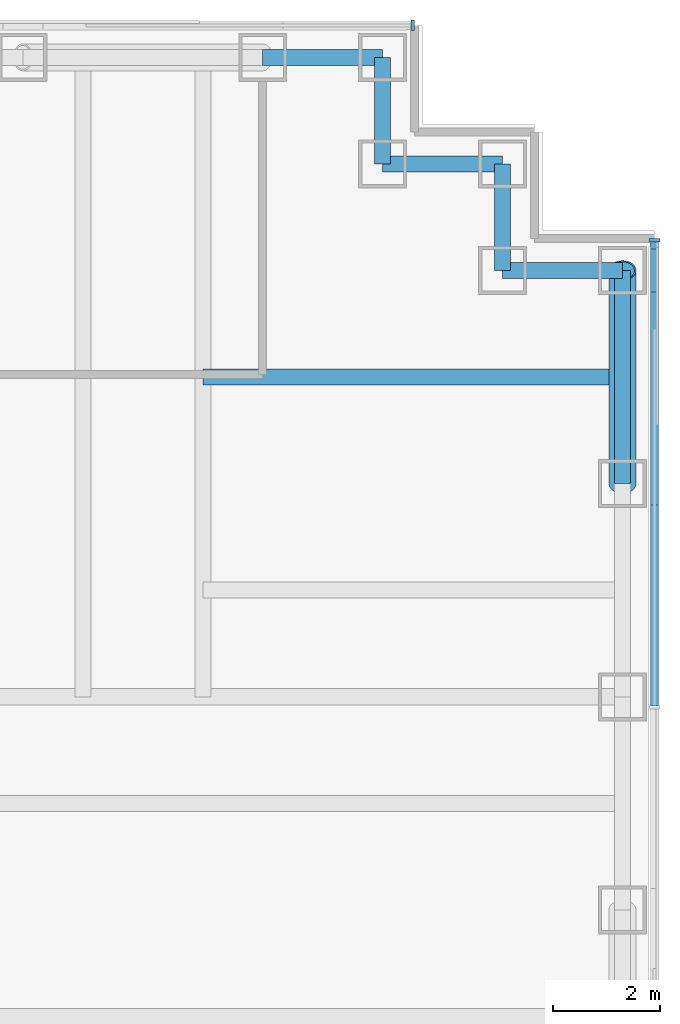
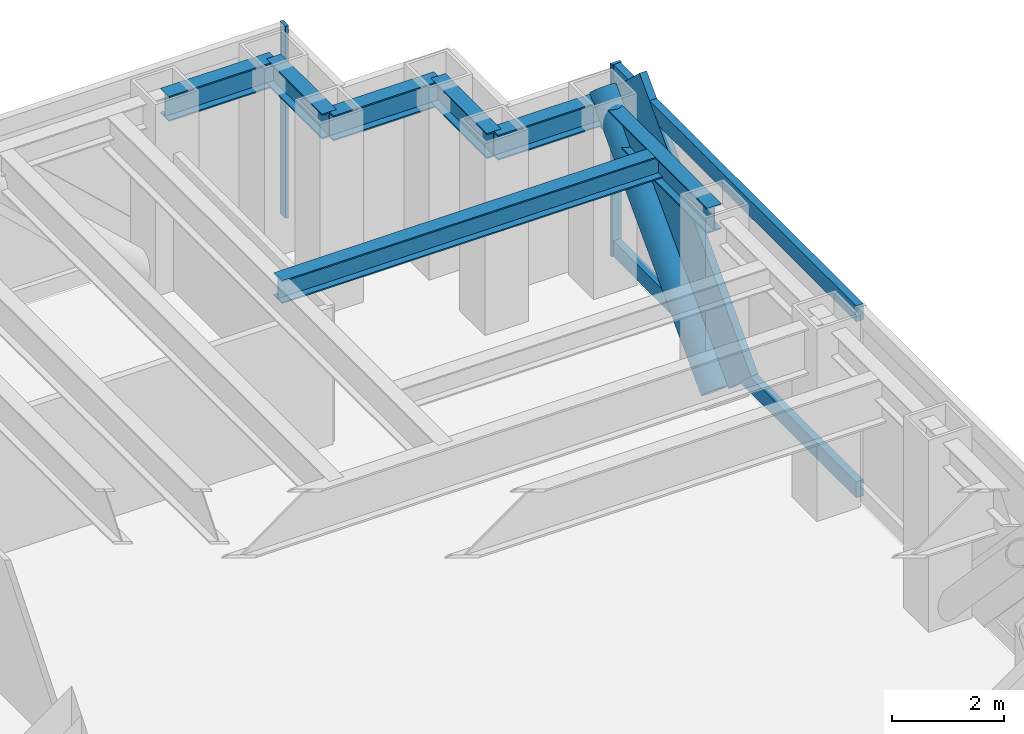
# One storey, part 9 of 15: 7 beams, 6 members, 2 elements without a shape of their own.
"""IFC4 building model written with IfcOpenShell, lengths in metres."""

from ifc_helpers import new_model, si_unit, direction, frame, origin, origin_2d, place, context, subcontext, project, spatial, rectangle, hollow_circle, i_section, extrude, material, material_profile, profile_set, type_object, element, aggregate, save


model = new_model("IFC4")

# Units and contexts
model_context = context("Model", 3, precision=1e-05, world=origin(), true_north=direction((0.0, 1.0)))
body_context = subcontext(model_context, "Body", "Model", "MODEL_VIEW")
ifc_project = project(units=[si_unit("LENGTHUNIT", "METRE"), si_unit("AREAUNIT", "SQUARE_METRE"), si_unit("VOLUMEUNIT", "CUBIC_METRE"), si_unit("PLANEANGLEUNIT", "RADIAN"), si_unit("MASSUNIT", "GRAM", prefix="KILO")], contexts=[model_context])

# Site, building, storey
site_placement = place(None, origin())
site = spatial("IfcSite", under=ifc_project, at=site_placement, CompositionType="ELEMENT")
building_placement = place(site_placement, origin())
building = spatial("IfcBuilding", under=site, at=building_placement, Name="Rheinbord Bourse Tower", CompositionType="ELEMENT")
storey_placement = place(building_placement, frame((0.0, 0.0, 308.89990234375)))
storey = spatial("IfcBuildingStorey", under=building, at=storey_placement, Name="L70", CompositionType="ELEMENT", Elevation=308.89990234375)

# Curtain wall, members
ifc_material_1 = material(Name="Dark glass and black aluminium", Category="aluminium")
curtain_wall_type = type_object("IfcCurtainWallType", Name="CW3 DARK GLASS CURTAIN WALL", PredefinedType="USERDEFINED", material=ifc_material_1)
curtain_wall_1_placement = place(storey_placement, origin())
curtain_wall_1 = element("IfcCurtainWall", 1, at=curtain_wall_1_placement, inside=storey, type_object=curtain_wall_type, Name="Curtain wall CW3 E L70", ObjectType="UNITISED CURTAIN WALL", PredefinedType="USERDEFINED")
ifc_material_2 = material(Name="Black anodised aluminium", Category="aluminium")
ifc_material_profile_1 = material_profile(ifc_material_2, rectangle(XDim=0.14990234375, YDim=1.10791015625, at=origin_2d()), Name="CW3 DIAGONAL MULLION 1108x150")
ifc_profile_set_1 = profile_set([ifc_material_profile_1], Name="Black anodised aluminium")
member_type_1 = type_object("IfcMemberType", Name="CW3 BLACK DIAGONAL MULLION", PredefinedType="USERDEFINED", material=ifc_profile_set_1)
member_1_placement = place(storey_placement, frame((70.35009765625, 36.0, 0.0), z_axis=(0.0, 0.689638355374, 0.72415394689), x_axis=(-1.0, 0.0, 0.0)))
member_1 = element("IfcMember", 2, at=member_1_placement, type_object=member_type_1, Name="CW3 diagonal mullion b", ObjectType="DIAGONAL MULLION", PredefinedType="USERDEFINED", context=body_context, shape_type="SweptSolid", body=[
    extrude(rectangle(XDim=0.14990234375, YDim=1.10791015625, at=origin_2d()), origin(), (0.0, 0.0, 1.0), 5.800048828125),
])
ifc_material_3 = material(Name="Black anodised aluminium", Category="aluminium")
ifc_material_profile_2 = material_profile(ifc_material_3, rectangle(XDim=0.199951171875, YDim=0.06494140625, at=origin_2d()), Name="CW3 MULLION 65x200")
ifc_profile_set_2 = profile_set([ifc_material_profile_2], Name="Black anodised aluminium")
member_type_2 = type_object("IfcMemberType", Name="CW3 BLACK MULLION", PredefinedType="MULLION", material=ifc_profile_set_2)
member_2_placement = place(storey_placement, frame((70.35009765625, 40.5673828125, 0.0), z_axis=(0.0, 0.0, 1.0), x_axis=(-1.0, 0.0, 0.0)))
member_2 = element("IfcMember", 3, at=member_2_placement, type_object=member_type_2, Name="CW3 mullion 5", PredefinedType="MULLION", context=body_context, shape_type="SweptSolid", body=[
    extrude(rectangle(XDim=0.199951171875, YDim=0.06494140625, at=origin_2d()), origin(), (0.0, 0.0, 1.0), 4.2001953125),
])

# Curtain wall, member
curtain_wall_2_placement = place(storey_placement, origin())
curtain_wall_2 = element("IfcCurtainWall", 4, at=curtain_wall_2_placement, inside=storey, type_object=curtain_wall_type, Name="Curtain wall CW3 N L70", ObjectType="UNITISED CURTAIN WALL", PredefinedType="USERDEFINED")
member_3_placement = place(storey_placement, frame((65.8173828125, 44.60009765625, 0.0), z_axis=(0.0, 0.0, 1.0), x_axis=(0.0, -1.0, 0.0)))
member_3 = element("IfcMember", 5, at=member_3_placement, type_object=member_type_2, Name="CW3 mullion 1", PredefinedType="MULLION", context=body_context, shape_type="SweptSolid", body=[
    extrude(rectangle(XDim=0.199951171875, YDim=0.06494140625, at=origin_2d()), origin(), (0.0, 0.0, 1.0), 4.2001953125),
])
aggregate(curtain_wall_2, [member_3])

# Member
ifc_material_4 = material(Name="Black anodised aluminium", Category="aluminium")
ifc_material_profile_3 = material_profile(ifc_material_4, rectangle(XDim=0.14990234375, YDim=0.35009765625, at=origin_2d()), Name="CW3 TRANSOM 350x150")
ifc_profile_set_3 = profile_set([ifc_material_profile_3], Name="Black anodised aluminium")
member_type_3 = type_object("IfcMemberType", Name="CW3 BLACK TRANSOM", PredefinedType="USERDEFINED", material=ifc_profile_set_3)
member_4_placement = place(storey_placement, frame((70.35009765625, 31.83251953125, 0.175048828125), z_axis=(0.0, 1.0, 0.0), x_axis=(-1.0, 0.0, 0.0)))
member_4 = element("IfcMember", 6, at=member_4_placement, type_object=member_type_3, Name="CW3 transom 4.1", ObjectType="TRANSOM", PredefinedType="USERDEFINED", context=body_context, shape_type="SweptSolid", body=[
    extrude(rectangle(XDim=0.14990234375, YDim=0.35009765625, at=origin_2d()), origin(), (0.0, 0.0, 1.0), 8.702392578125),
])

member_5_placement = place(storey_placement, frame((70.35009765625, 31.83251953125, 4.025146484375), z_axis=(0.0, 1.0, 0.0), x_axis=(-1.0, 0.0, 0.0)))
member_5 = element("IfcMember", 7, at=member_5_placement, type_object=member_type_3, Name="CW3 transom 4.2", ObjectType="TRANSOM", PredefinedType="USERDEFINED", context=body_context, shape_type="SweptSolid", body=[
    extrude(rectangle(XDim=0.14990234375, YDim=0.35009765625, at=origin_2d()), origin(), (0.0, 0.0, 1.0), 8.702392578125),
])

aggregate(curtain_wall_1, [member_2, member_4, member_5, member_1])

ifc_material_5 = material(Name="Steel S460", Category="steel")
ifc_material_profile_4 = material_profile(ifc_material_5, hollow_circle(Radius=0.25390625, WallThickness=0.030029296875, at=origin_2d()), Name="CHS 508x30")
ifc_profile_set_4 = profile_set([ifc_material_profile_4], Name="Steel S460")
member_type_4 = type_object("IfcMemberType", Name="MEGABRACE CHS 508x30", PredefinedType="BRACE", material=ifc_profile_set_4)
member_6_placement = place(storey_placement, frame((69.75, 36.0, 0.0), z_axis=(0.0, 0.689638355374, 0.72415394689), x_axis=(-1.0, 0.0, 0.0)))
element("IfcMember", 8, at=member_6_placement, inside=storey, type_object=member_type_4, Name="Megabrace E face line b L70", PredefinedType="BRACE", context=body_context, shape_type="SweptSolid", body=[
    extrude(hollow_circle(Radius=0.25390625, WallThickness=0.030029296875, at=origin_2d()), origin(), (0.0, 0.0, 1.0), 5.800048828125),
])

# Beams
ifc_material_6 = material(Name="Steel S460", Category="steel")
ifc_material_profile_5 = material_profile(ifc_material_6, i_section(OverallWidth=0.300048828125, OverallDepth=0.550048828125, WebThickness=0.014892578125, FlangeThickness=0.029052734375, at=origin_2d()), Name="HEB 550")
ifc_profile_set_5 = profile_set([ifc_material_profile_5], Name="Steel S460")
beam_type_1 = type_object("IfcBeamType", Name="SPANDREL HEB 550", PredefinedType="SPANDREL", material=ifc_profile_set_5)
beam_1_placement = place(storey_placement, frame((69.75, 36.0, 3.76513671875), z_axis=(0.0, 1.0, 0.0), x_axis=(-1.0, 0.0, 0.0)))
element("IfcBeam", 9, at=beam_1_placement, inside=storey, type_object=beam_type_1, Name="Spandrel E-36-NE-A under L71", PredefinedType="SPANDREL", context=body_context, shape_type="SweptSolid", body=[
    extrude(i_section(OverallWidth=0.300048828125, OverallDepth=0.550048828125, WebThickness=0.014892578125, FlangeThickness=0.029052734375, at=origin_2d()), origin(), (0.0, 0.0, 1.0), 4.0),
])
beam_2_placement = place(storey_placement, frame((69.75, 40.0, 3.76513671875), z_axis=(-1.0, 0.0, 0.0), x_axis=(0.0, -1.0, 0.0)))
element("IfcBeam", 10, at=beam_2_placement, inside=storey, type_object=beam_type_1, Name="Spandrel NE-A-NE-B under L71", PredefinedType="SPANDREL", context=body_context, shape_type="SweptSolid", body=[
    extrude(i_section(OverallWidth=0.300048828125, OverallDepth=0.550048828125, WebThickness=0.014892578125, FlangeThickness=0.029052734375, at=origin_2d()), origin(), (0.0, 0.0, 1.0), 2.25),
])
beam_3_placement = place(storey_placement, frame((67.5, 40.0, 3.76513671875), z_axis=(0.0, 1.0, 0.0), x_axis=(-1.0, 0.0, 0.0)))
element("IfcBeam", 11, at=beam_3_placement, inside=storey, type_object=beam_type_1, Name="Spandrel NE-B-NE-C under L71", PredefinedType="SPANDREL", context=body_context, shape_type="SweptSolid", body=[
    extrude(i_section(OverallWidth=0.300048828125, OverallDepth=0.550048828125, WebThickness=0.014892578125, FlangeThickness=0.029052734375, at=origin_2d()), origin(), (0.0, 0.0, 1.0), 2.0),
])
beam_4_placement = place(storey_placement, frame((67.5, 42.0, 3.76513671875), z_axis=(-1.0, 0.0, 0.0), x_axis=(0.0, -1.0, 0.0)))
element("IfcBeam", 12, at=beam_4_placement, inside=storey, type_object=beam_type_1, Name="Spandrel NE-C-NE-D under L71", PredefinedType="SPANDREL", context=body_context, shape_type="SweptSolid", body=[
    extrude(i_section(OverallWidth=0.300048828125, OverallDepth=0.550048828125, WebThickness=0.014892578125, FlangeThickness=0.029052734375, at=origin_2d()), origin(), (0.0, 0.0, 1.0), 2.25),
])
beam_5_placement = place(storey_placement, frame((65.25, 42.0, 3.76513671875), z_axis=(0.0, 1.0, 0.0), x_axis=(-1.0, 0.0, 0.0)))
element("IfcBeam", 13, at=beam_5_placement, inside=storey, type_object=beam_type_1, Name="Spandrel NE-D-NE-E under L71", PredefinedType="SPANDREL", context=body_context, shape_type="SweptSolid", body=[
    extrude(i_section(OverallWidth=0.300048828125, OverallDepth=0.550048828125, WebThickness=0.014892578125, FlangeThickness=0.029052734375, at=origin_2d()), origin(), (0.0, 0.0, 1.0), 2.0),
])
beam_6_placement = place(storey_placement, frame((65.25, 44.0, 3.76513671875), z_axis=(-1.0, 0.0, 0.0), x_axis=(0.0, -1.0, 0.0)))
element("IfcBeam", 14, at=beam_6_placement, inside=storey, type_object=beam_type_1, Name="Spandrel NE-E-N-63 under L71", PredefinedType="SPANDREL", context=body_context, shape_type="SweptSolid", body=[
    extrude(i_section(OverallWidth=0.300048828125, OverallDepth=0.550048828125, WebThickness=0.014892578125, FlangeThickness=0.029052734375, at=origin_2d()), origin(), (0.0, 0.0, 1.0), 2.25),
])
ifc_material_7 = material(Name="Steel S460", Category="steel")
ifc_material_profile_6 = material_profile(ifc_material_7, i_section(OverallWidth=0.300048828125, OverallDepth=0.5, WebThickness=0.014404296875, FlangeThickness=0.028076171875, at=origin_2d()), Name="HEB 500")
ifc_profile_set_6 = profile_set([ifc_material_profile_6], Name="Steel S460")
beam_type_2 = type_object("IfcBeamType", Name="TIE BEAM HEB 500", PredefinedType="JOIST", material=ifc_profile_set_6)
beam_7_placement = place(storey_placement, frame((61.875, 38.0, 3.7900390625), z_axis=(1.0, 0.0, 0.0), x_axis=(0.0, 1.0, 0.0)))
element("IfcBeam", 15, at=beam_7_placement, inside=storey, type_object=beam_type_2, Name="Tie east 38 L71", PredefinedType="JOIST", context=body_context, shape_type="SweptSolid", body=[
    extrude(i_section(OverallWidth=0.300048828125, OverallDepth=0.5, WebThickness=0.014404296875, FlangeThickness=0.028076171875, at=origin_2d()), origin(), (0.0, 0.0, 1.0), 7.875),
])

save(model, "model.ifc")
